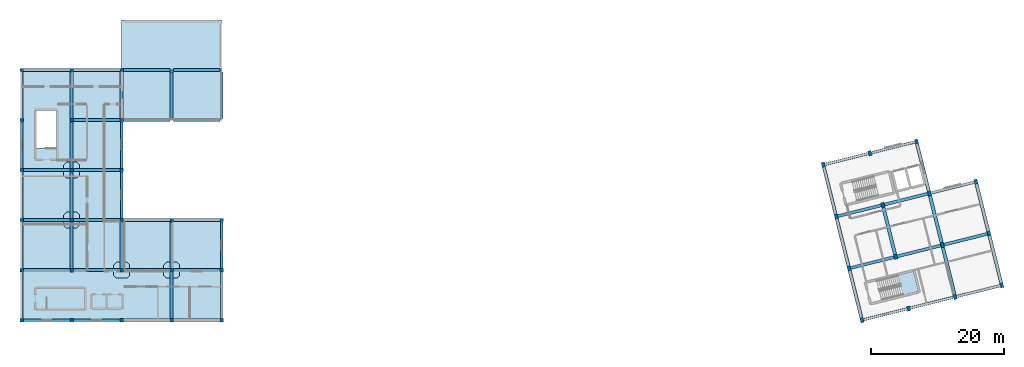
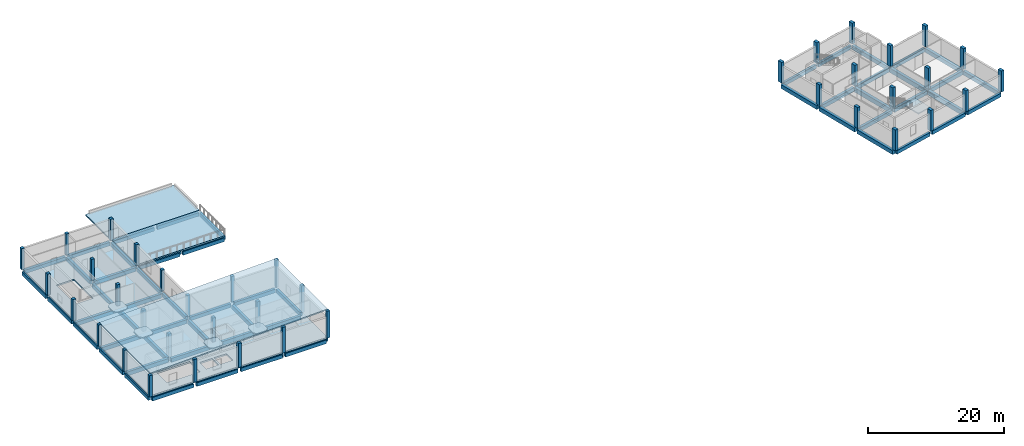
# One storey, part 1 of 8: 60 beams, 39 columns, 9 slabs, 1 element without a shape of its own.
"""IFC4 building model written with IfcOpenShell, lengths in metres."""

from ifc_helpers import new_model, si_unit, direction, frame, origin, origin_2d, place, context, subcontext, project, spatial, polyline, rectangle, outline, extrude, material, layer, layer_set, material_profile, profile_set, type_object, element, aggregate, save


model = new_model("IFC4")

# Units and contexts
model_context = context("Model", 3, precision=1e-05, world=origin(), true_north=direction((0.0, 1.0)))
body_context = subcontext(model_context, "Body", "Model", "MODEL_VIEW")
ifc_project = project(units=[si_unit("LENGTHUNIT", "METRE"), si_unit("AREAUNIT", "SQUARE_METRE"), si_unit("VOLUMEUNIT", "CUBIC_METRE"), si_unit("PLANEANGLEUNIT", "RADIAN"), si_unit("MASSUNIT", "GRAM", prefix="KILO")], contexts=[model_context])

# Site, building, storey
site_placement = place(None, origin())
site = spatial("IfcSite", under=ifc_project, at=site_placement, CompositionType="ELEMENT")
building_placement = place(site_placement, origin())
building = spatial("IfcBuilding", under=site, at=building_placement, Name="Mawjan Specialist Oncology Clinic", CompositionType="ELEMENT")
storey_placement = place(building_placement, frame((0.0, 0.0, 21.5)))
storey = spatial("IfcBuildingStorey", under=building, at=storey_placement, Name="L05", CompositionType="ELEMENT", Elevation=21.5)

# Columns
ifc_material_1 = material(Name="Concrete C45/55", Category="concrete")
ifc_material_profile_1 = material_profile(ifc_material_1, rectangle(XDim=0.5, YDim=0.5, at=origin_2d()), Name="RC COL 500x500", Category="concrete")
ifc_profile_set_1 = profile_set([ifc_material_profile_1], Name="Concrete C45/55")
column_type_1 = type_object("IfcColumnType", Name="C-500", PredefinedType="COLUMN", material=ifc_profile_set_1)
for number, where, z_axis, x_axis, name in (
    (1, (0.0, 0.800048828125, 0.0), (0.0, 0.0, 1.0), (1.0, 0.0, 0.0), "L05 Column G-1-A"),
    (2, (0.0, 8.300048828125, 0.0), (0.0, 0.0, 1.0), (1.0, 0.0, 0.0), "L05 Column G-1-B"),
):
    element("IfcColumn", number, at=place(storey_placement, frame(where, z_axis=z_axis, x_axis=x_axis)), inside=storey, type_object=column_type_1, Name=name, PredefinedType="COLUMN", context=body_context, shape_type="SweptSolid", body=[
        extrude(rectangle(XDim=0.5, YDim=0.5, at=origin_2d()), origin(), (0.0, 0.0, 1.0), 3.829833984375),
    ])
for number, where, z_axis, x_axis, name in (
    (3, (0.0, 15.800048828125, 0.0), (0.0, 0.0, 1.0), (1.0, 0.0, 0.0), "L05 Column G-1-C"),
    (4, (0.0, 23.300048828125, 0.0), (0.0, 0.0, 1.0), (1.0, 0.0, 0.0), "L05 Column G-1-D"),
    (5, (0.0, 30.800048828125, 0.0), (0.0, 0.0, 1.0), (1.0, 0.0, 0.0), "L05 Column G-1-E"),
    (6, (0.0, 38.300048828125, 0.0), (0.0, 0.0, 1.0), (1.0, 0.0, 0.0), "L05 Column G-1-F"),
):
    element("IfcColumn", number, at=place(storey_placement, frame(where, z_axis=z_axis, x_axis=x_axis)), inside=storey, type_object=column_type_1, Name=name, PredefinedType="COLUMN", context=body_context, shape_type="SweptSolid", body=[
        extrude(rectangle(XDim=0.5, YDim=0.5, at=origin_2d()), origin(), (0.0, 0.0, 1.0), 3.800048828125),
    ])
for number, where, z_axis, x_axis, name in (
    (7, (7.5, 0.800048828125, 0.0), (0.0, 0.0, 1.0), (1.0, 0.0, 0.0), "L05 Column G-2-A"),
    (8, (7.5, 8.300048828125, 0.0), (0.0, 0.0, 1.0), (1.0, 0.0, 0.0), "L05 Column G-2-B"),
):
    element("IfcColumn", number, at=place(storey_placement, frame(where, z_axis=z_axis, x_axis=x_axis)), inside=storey, type_object=column_type_1, Name=name, PredefinedType="COLUMN", context=body_context, shape_type="SweptSolid", body=[
        extrude(rectangle(XDim=0.5, YDim=0.5, at=origin_2d()), origin(), (0.0, 0.0, 1.0), 4.079833984375),
    ])
for number, where, z_axis, x_axis, name in (
    (9, (7.5, 15.800048828125, 0.0), (0.0, 0.0, 1.0), (1.0, 0.0, 0.0), "L05 Column G-2-C"),
    (10, (7.5, 23.300048828125, 0.0), (0.0, 0.0, 1.0), (1.0, 0.0, 0.0), "L05 Column G-2-D"),
    (11, (7.5, 30.800048828125, 0.0), (0.0, 0.0, 1.0), (1.0, 0.0, 0.0), "L05 Column G-2-E"),
    (12, (7.5, 38.300048828125, 0.0), (0.0, 0.0, 1.0), (1.0, 0.0, 0.0), "L05 Column G-2-F"),
):
    element("IfcColumn", number, at=place(storey_placement, frame(where, z_axis=z_axis, x_axis=x_axis)), inside=storey, type_object=column_type_1, Name=name, PredefinedType="COLUMN", context=body_context, shape_type="SweptSolid", body=[
        extrude(rectangle(XDim=0.5, YDim=0.5, at=origin_2d()), origin(), (0.0, 0.0, 1.0), 3.800048828125),
    ])
for number, where, z_axis, x_axis, name in (
    (13, (15.0, 0.800048828125, 0.0), (0.0, 0.0, 1.0), (1.0, 0.0, 0.0), "L05 Column G-3-A"),
    (14, (15.0, 8.300048828125, 0.0), (0.0, 0.0, 1.0), (1.0, 0.0, 0.0), "L05 Column G-3-B"),
):
    element("IfcColumn", number, at=place(storey_placement, frame(where, z_axis=z_axis, x_axis=x_axis)), inside=storey, type_object=column_type_1, Name=name, PredefinedType="COLUMN", context=body_context, shape_type="SweptSolid", body=[
        extrude(rectangle(XDim=0.5, YDim=0.5, at=origin_2d()), origin(), (0.0, 0.0, 1.0), 4.329833984375),
    ])
for number, where, z_axis, x_axis, name in (
    (15, (15.0, 15.800048828125, 0.0), (0.0, 0.0, 1.0), (1.0, 0.0, 0.0), "L05 Column G-3-C"),
    (16, (15.0, 23.300048828125, 0.0), (0.0, 0.0, 1.0), (1.0, 0.0, 0.0), "L05 Column G-3-D"),
    (17, (15.0, 30.800048828125, 0.0), (0.0, 0.0, 1.0), (1.0, 0.0, 0.0), "L05 Column G-3-E"),
    (18, (15.0, 38.300048828125, 0.0), (0.0, 0.0, 1.0), (1.0, 0.0, 0.0), "L05 Column G-3-F"),
):
    element("IfcColumn", number, at=place(storey_placement, frame(where, z_axis=z_axis, x_axis=x_axis)), inside=storey, type_object=column_type_1, Name=name, PredefinedType="COLUMN", context=body_context, shape_type="SweptSolid", body=[
        extrude(rectangle(XDim=0.5, YDim=0.5, at=origin_2d()), origin(), (0.0, 0.0, 1.0), 3.800048828125),
    ])
for number, where, z_axis, x_axis, name in (
    (19, (22.5, 0.800048828125, 0.0), (0.0, 0.0, 1.0), (1.0, 0.0, 0.0), "L05 Column G-4-A"),
    (20, (22.5, 8.300048828125, 0.0), (0.0, 0.0, 1.0), (1.0, 0.0, 0.0), "L05 Column G-4-B"),
    (21, (22.5, 15.800048828125, 0.0), (0.0, 0.0, 1.0), (1.0, 0.0, 0.0), "L05 Column G-4-C"),
):
    element("IfcColumn", number, at=place(storey_placement, frame(where, z_axis=z_axis, x_axis=x_axis)), inside=storey, type_object=column_type_1, Name=name, PredefinedType="COLUMN", context=body_context, shape_type="SweptSolid", body=[
        extrude(rectangle(XDim=0.5, YDim=0.5, at=origin_2d()), origin(), (0.0, 0.0, 1.0), 4.579833984375),
    ])
for number, where, z_axis, x_axis, name in (
    (22, (30.0, 0.800048828125, 0.0), (0.0, 0.0, 1.0), (1.0, 0.0, 0.0), "L05 Column G-5-A"),
    (23, (30.0, 8.300048828125, 0.0), (0.0, 0.0, 1.0), (1.0, 0.0, 0.0), "L05 Column G-5-B"),
    (24, (30.0, 15.800048828125, 0.0), (0.0, 0.0, 1.0), (1.0, 0.0, 0.0), "L05 Column G-5-C"),
):
    element("IfcColumn", number, at=place(storey_placement, frame(where, z_axis=z_axis, x_axis=x_axis)), inside=storey, type_object=column_type_1, Name=name, PredefinedType="COLUMN", context=body_context, shape_type="SweptSolid", body=[
        extrude(rectangle(XDim=0.5, YDim=0.5, at=origin_2d()), origin(), (0.0, 0.0, 1.0), 4.829833984375),
    ])
ifc_material_2 = material(Name="Concrete C45/55", Category="concrete")
ifc_material_profile_2 = material_profile(ifc_material_2, rectangle(XDim=0.5, YDim=0.75, at=origin_2d()), Name="RC COL 500x750", Category="concrete")
ifc_profile_set_2 = profile_set([ifc_material_profile_2], Name="Concrete C45/55")
column_type_2 = type_object("IfcColumnType", Name="C-500x750", PredefinedType="COLUMN", material=ifc_profile_set_2)
for number, where, z_axis, x_axis, name in (
    (25, (126.0, 0.800048828125, 0.0), (0.0, 0.0, 1.0), (0.970295726276, 0.2419218956, 0.0), "L05 Column R-RA-R1"),
    (26, (124.064697265625, 8.562255859375, 0.0), (0.0, 0.0, 1.0), (0.970295726276, 0.2419218956, 0.0), "L05 Column R-RA-R2"),
    (27, (122.129150390625, 16.32470703125, 0.0), (0.0, 0.0, 1.0), (0.970295726276, 0.2419218956, 0.0), "L05 Column R-RA-R3"),
    (28, (120.19384765625, 24.087158203125, 0.0), (0.0, 0.0, 1.0), (0.970295726276, 0.2419218956, 0.0), "L05 Column R-RA-R4"),
    (29, (132.986083984375, 2.541748046875, 0.0), (0.0, 0.0, 1.0), (0.970295726276, 0.2419218956, 0.0), "L05 Column R-RB-R1"),
    (30, (131.05078125, 10.30419921875, 0.0), (0.0, 0.0, 1.0), (0.970295726276, 0.2419218956, 0.0), "L05 Column R-RB-R2"),
    (31, (129.115478515625, 18.066650390625, 0.0), (0.0, 0.0, 1.0), (0.970295726276, 0.2419218956, 0.0), "L05 Column R-RB-R3"),
    (32, (127.179931640625, 25.828857421875, 0.0), (0.0, 0.0, 1.0), (0.970295726276, 0.2419218956, 0.0), "L05 Column R-RB-R4"),
    (33, (139.97216796875, 4.28369140625, 0.0), (0.0, 0.0, 1.0), (0.970295726276, 0.2419218956, 0.0), "L05 Column R-RC-R1"),
    (34, (138.036865234375, 12.046142578125, 0.0), (0.0, 0.0, 1.0), (0.970295726276, 0.2419218956, 0.0), "L05 Column R-RC-R2"),
    (35, (136.1015625, 19.808349609375, 0.0), (0.0, 0.0, 1.0), (0.970295726276, 0.2419218956, 0.0), "L05 Column R-RC-R3"),
    (36, (134.166015625, 27.57080078125, 0.0), (0.0, 0.0, 1.0), (0.970295726276, 0.2419218956, 0.0), "L05 Column R-RC-R4"),
):
    element("IfcColumn", number, at=place(storey_placement, frame(where, z_axis=z_axis, x_axis=x_axis)), inside=storey, type_object=column_type_2, Name=name, PredefinedType="COLUMN", context=body_context, shape_type="SweptSolid", body=[
        extrude(rectangle(XDim=0.5, YDim=0.75, at=origin_2d()), origin(), (0.0, 0.0, 1.0), 3.719970703125),
    ])
column_placement = place(storey_placement, frame((146.95849609375, 6.025634765625, 0.0), z_axis=(0.0, 0.0, 1.0), x_axis=(0.970295726276, 0.2419218956, 0.0)))
element("IfcColumn", 37, at=column_placement, inside=storey, type_object=column_type_2, Name="L05 Column R-RD-R1", PredefinedType="COLUMN", context=body_context, shape_type="SweptSolid", body=[
    extrude(rectangle(XDim=0.5, YDim=0.75, at=origin_2d()), origin(), (0.0, 0.0, 1.0), 3.75),
])
for number, where, z_axis, x_axis, name in (
    (38, (145.02294921875, 13.787841796875, 0.0), (0.0, 0.0, 1.0), (0.970295726276, 0.2419218956, 0.0), "L05 Column R-RD-R2"),
    (39, (143.087646484375, 21.55029296875, 0.0), (0.0, 0.0, 1.0), (0.970295726276, 0.2419218956, 0.0), "L05 Column R-RD-R3"),
):
    element("IfcColumn", number, at=place(storey_placement, frame(where, z_axis=z_axis, x_axis=x_axis)), inside=storey, type_object=column_type_2, Name=name, PredefinedType="COLUMN", context=body_context, shape_type="SweptSolid", body=[
        extrude(rectangle(XDim=0.5, YDim=0.75, at=origin_2d()), origin(), (0.0, 0.0, 1.0), 3.719970703125),
    ])

# Beams
ifc_material_3 = material(Name="Concrete C40/50", Category="concrete")
ifc_material_profile_3 = material_profile(ifc_material_3, rectangle(XDim=0.449951171875, YDim=0.699951171875, at=origin_2d()), Name="RC BM 450x700", Category="concrete")
ifc_profile_set_3 = profile_set([ifc_material_profile_3], Name="Concrete C40/50")
beam_type_1 = type_object("IfcBeamType", Name="BM-450x700", PredefinedType="BEAM", material=ifc_profile_set_3)
for number, where, z_axis, x_axis, name in (
    (40, (0.260009765625, 8.300048828125, -0.6298828125), (1.0, 0.0, 0.0), (0.0, 1.0, 0.0), "L05 Collector Beam BM-L05-1164"),
    (41, (7.760009765625, 8.300048828125, -0.830078125), (1.0, 0.0, 0.0), (0.0, 1.0, 0.0), "L05 Collector Beam BM-L05-1165"),
    (42, (15.260009765625, 8.300048828125, -0.830078125), (1.0, 0.0, 0.0), (0.0, 1.0, 0.0), "L05 Collector Beam BM-L05-1166"),
    (43, (22.760009765625, 8.300048828125, -0.830078125), (1.0, 0.0, 0.0), (0.0, 1.0, 0.0), "L05 Collector Beam BM-L05-1167"),
    (44, (0.260009765625, 15.800048828125, -0.830078125), (1.0, 0.0, 0.0), (0.0, 1.0, 0.0), "L05 Collector Beam BM-L05-1168"),
    (45, (7.760009765625, 15.800048828125, -0.830078125), (1.0, 0.0, 0.0), (0.0, 1.0, 0.0), "L05 Collector Beam BM-L05-1169"),
    (46, (0.260009765625, 23.300048828125, -0.830078125), (1.0, 0.0, 0.0), (0.0, 1.0, 0.0), "L05 Collector Beam BM-L05-1172"),
    (47, (7.760009765625, 23.300048828125, -0.830078125), (1.0, 0.0, 0.0), (0.0, 1.0, 0.0), "L05 Collector Beam BM-L05-1173"),
    (48, (7.760009765625, 30.800048828125, -0.6298828125), (1.0, 0.0, 0.0), (0.0, 1.0, 0.0), "L05 Collector Beam BM-L05-1174"),
    (49, (7.5, 8.56005859375, -0.830078125), (0.0, 1.0, 0.0), (-1.0, 0.0, 0.0), "L05 Collector Beam BM-L05-1186"),
    (50, (7.5, 16.06005859375, -0.830078125), (0.0, 1.0, 0.0), (-1.0, 0.0, 0.0), "L05 Collector Beam BM-L05-1187"),
    (51, (7.5, 23.56005859375, -0.830078125), (0.0, 1.0, 0.0), (-1.0, 0.0, 0.0), "L05 Collector Beam BM-L05-1188"),
    (52, (7.5, 31.06005859375, -0.6298828125), (0.0, 1.0, 0.0), (-1.0, 0.0, 0.0), "L05 Collector Beam BM-L05-1189"),
    (53, (15.0, 8.56005859375, -0.830078125), (0.0, 1.0, 0.0), (-1.0, 0.0, 0.0), "L05 Collector Beam BM-L05-1190"),
    (54, (15.0, 31.06005859375, -0.6298828125), (0.0, 1.0, 0.0), (-1.0, 0.0, 0.0), "L05 Collector Beam BM-L05-1193"),
    (55, (22.5, 1.06005859375, -0.830078125), (0.0, 1.0, 0.0), (-1.0, 0.0, 0.0), "L05 Collector Beam BM-L05-1194"),
    (56, (22.5, 8.56005859375, -0.830078125), (0.0, 1.0, 0.0), (-1.0, 0.0, 0.0), "L05 Collector Beam BM-L05-1195"),
    (57, (22.5, 31.06005859375, -0.60009765625), (0.0, 1.0, 0.0), (-1.0, 0.0, 0.0), "L05 Collector Beam BM-L05-1196"),
):
    element("IfcBeam", number, at=place(storey_placement, frame(where, z_axis=z_axis, x_axis=x_axis)), inside=storey, type_object=beam_type_1, Name=name, PredefinedType="BEAM", context=body_context, shape_type="SweptSolid", body=[
        extrude(rectangle(XDim=0.449951171875, YDim=0.699951171875, at=origin_2d()), origin(), (0.0, 0.0, 1.0), 6.97998046875),
    ])
for number, where, z_axis, x_axis, name in (
    (58, (124.292724609375, 8.619140625, -0.6298828125), (0.970293819569, 0.241929542854, 0.0), (-0.241929542854, 0.970293819569, 0.0), "L05 Collector Beam BM-L05-1203"),
    (59, (131.27880859375, 10.361083984375, -0.6298828125), (0.970293819569, 0.241929542854, 0.0), (-0.241929542854, 0.970293819569, 0.0), "L05 Collector Beam BM-L05-1204"),
    (60, (138.264892578125, 12.102783203125, -0.6298828125), (0.970293819569, 0.241929542854, 0.0), (-0.241929542854, 0.970293819569, 0.0), "L05 Collector Beam BM-L05-1205"),
):
    element("IfcBeam", number, at=place(storey_placement, frame(where, z_axis=z_axis, x_axis=x_axis)), inside=storey, type_object=beam_type_1, Name=name, PredefinedType="BEAM", context=body_context, shape_type="SweptSolid", body=[
        extrude(rectangle(XDim=0.449951171875, YDim=0.699951171875, at=origin_2d()), origin(), (0.0, 0.0, 1.0), 6.72998046875),
    ])
beam_1_placement = place(storey_placement, frame((122.357177734375, 16.381591796875, -0.6298828125), z_axis=(0.970295942731, 0.241921027444, 0.0), x_axis=(-0.241921027444, 0.970295942731, 0.0)))
element("IfcBeam", 61, at=beam_1_placement, inside=storey, type_object=beam_type_1, Name="L05 Collector Beam BM-L05-1206", PredefinedType="BEAM", context=body_context, shape_type="SweptSolid", body=[
    extrude(rectangle(XDim=0.449951171875, YDim=0.699951171875, at=origin_2d()), origin(), (0.0, 0.0, 1.0), 6.730224609375),
])
beam_2_placement = place(storey_placement, frame((129.343505859375, 18.12353515625, -0.6298828125), z_axis=(0.970302334743, 0.241895388943, 0.0), x_axis=(-0.241895388943, 0.970302334743, 0.0)))
element("IfcBeam", 62, at=beam_2_placement, inside=storey, type_object=beam_type_1, Name="L05 Collector Beam BM-L05-1207", PredefinedType="BEAM", context=body_context, shape_type="SweptSolid", body=[
    extrude(rectangle(XDim=0.449951171875, YDim=0.699951171875, at=origin_2d()), origin(), (0.0, 0.0, 1.0), 6.72998046875),
])
ifc_material_4 = material(Name="Concrete C45/55", Category="concrete")
ifc_material_profile_4 = material_profile(ifc_material_4, rectangle(XDim=0.5, YDim=0.800048828125, at=origin_2d()), Name="RC BM 500x800", Category="concrete")
ifc_profile_set_4 = profile_set([ifc_material_profile_4], Name="Concrete C45/55")
beam_type_2 = type_object("IfcBeamType", Name="BM-500x800", PredefinedType="BEAM", material=ifc_profile_set_4)
for number, where, z_axis, x_axis, name in (
    (63, (130.993896484375, 10.5322265625, -0.679931640625), (-0.241932910606, 0.97029297986, 0.0), (-0.97029297986, -0.241932910606, 0.0), "L05 Collector Beam BM-L05-1214"),
    (64, (139.91552734375, 4.51171875, -0.679931640625), (-0.241932910606, 0.97029297986, 0.0), (-0.97029297986, -0.241932910606, 0.0), "L05 Collector Beam BM-L05-1215"),
):
    element("IfcBeam", number, at=place(storey_placement, frame(where, z_axis=z_axis, x_axis=x_axis)), inside=storey, type_object=beam_type_2, Name=name, PredefinedType="BEAM", context=body_context, shape_type="SweptSolid", body=[
        extrude(rectangle(XDim=0.5, YDim=0.800048828125, at=origin_2d()), origin(), (0.0, 0.0, 1.0), 7.530029296875),
    ])
beam_3_placement = place(storey_placement, frame((137.97998046875, 12.274169921875, -0.679931640625), z_axis=(-0.241909996281, 0.970298693032, 0.0), x_axis=(-0.970298693032, -0.241909996281, 0.0)))
element("IfcBeam", 65, at=beam_3_placement, inside=storey, type_object=beam_type_2, Name="L05 Collector Beam BM-L05-1216", PredefinedType="BEAM", context=body_context, shape_type="SweptSolid", body=[
    extrude(rectangle(XDim=0.5, YDim=0.800048828125, at=origin_2d()), origin(), (0.0, 0.0, 1.0), 7.52978515625),
])
ifc_material_5 = material(Name="Concrete C45/55", Category="concrete")
ifc_material_profile_5 = material_profile(ifc_material_5, rectangle(XDim=0.39990234375, YDim=0.64990234375, at=origin_2d()), Name="RC BM 400x650", Category="concrete")
ifc_profile_set_5 = profile_set([ifc_material_profile_5], Name="Concrete C45/55")
beam_type_3 = type_object("IfcBeamType", Name="SP-400x650", PredefinedType="SPANDREL", material=ifc_profile_set_5)
for number, where, z_axis, x_axis, name in (
    (66, (0.260009765625, 0.800048828125, -0.60498046875), (1.0, 0.0, 0.0), (0.0, 1.0, 0.0), "L05 Spandrel Beam BM-L05-1160"),
    (67, (7.760009765625, 0.800048828125, -0.60498046875), (1.0, 0.0, 0.0), (0.0, 1.0, 0.0), "L05 Spandrel Beam BM-L05-1161"),
    (68, (15.260009765625, 0.800048828125, -0.60498046875), (1.0, 0.0, 0.0), (0.0, 1.0, 0.0), "L05 Spandrel Beam BM-L05-1162"),
    (69, (22.760009765625, 0.800048828125, -0.60498046875), (1.0, 0.0, 0.0), (0.0, 1.0, 0.0), "L05 Spandrel Beam BM-L05-1163"),
    (70, (15.260009765625, 15.800048828125, -0.60498046875), (1.0, 0.0, 0.0), (0.0, 1.0, 0.0), "L05 Spandrel Beam BM-L05-1170"),
    (71, (22.760009765625, 15.800048828125, -0.60498046875), (1.0, 0.0, 0.0), (0.0, 1.0, 0.0), "L05 Spandrel Beam BM-L05-1171"),
    (72, (15.260009765625, 30.800048828125, -0.60498046875), (1.0, 0.0, 0.0), (0.0, 1.0, 0.0), "L05 Spandrel Beam BM-L05-1175"),
    (73, (22.760009765625, 30.800048828125, -0.574951171875), (1.0, 0.0, 0.0), (0.0, 1.0, 0.0), "L05 Spandrel Beam BM-L05-1176"),
    (74, (0.260009765625, 38.300048828125, -0.60498046875), (1.0, 0.0, 0.0), (0.0, 1.0, 0.0), "L05 Spandrel Beam BM-L05-1177"),
    (75, (7.760009765625, 38.300048828125, -0.60498046875), (1.0, 0.0, 0.0), (0.0, 1.0, 0.0), "L05 Spandrel Beam BM-L05-1178"),
    (76, (15.260009765625, 38.300048828125, -0.60498046875), (1.0, 0.0, 0.0), (0.0, 1.0, 0.0), "L05 Spandrel Beam BM-L05-1179"),
    (77, (22.760009765625, 38.300048828125, -0.574951171875), (1.0, 0.0, 0.0), (0.0, 1.0, 0.0), "L05 Spandrel Beam BM-L05-1180"),
    (78, (0.0, 1.06005859375, -0.60498046875), (0.0, 1.0, 0.0), (-1.0, 0.0, 0.0), "L05 Spandrel Beam BM-L05-1181"),
    (79, (0.0, 8.56005859375, -0.60498046875), (0.0, 1.0, 0.0), (-1.0, 0.0, 0.0), "L05 Spandrel Beam BM-L05-1182"),
    (80, (0.0, 16.06005859375, -0.60498046875), (0.0, 1.0, 0.0), (-1.0, 0.0, 0.0), "L05 Spandrel Beam BM-L05-1183"),
    (81, (0.0, 23.56005859375, -0.60498046875), (0.0, 1.0, 0.0), (-1.0, 0.0, 0.0), "L05 Spandrel Beam BM-L05-1184"),
    (82, (0.0, 31.06005859375, -0.60498046875), (0.0, 1.0, 0.0), (-1.0, 0.0, 0.0), "L05 Spandrel Beam BM-L05-1185"),
    (83, (15.0, 16.06005859375, -0.60498046875), (0.0, 1.0, 0.0), (-1.0, 0.0, 0.0), "L05 Spandrel Beam BM-L05-1191"),
    (84, (15.0, 23.56005859375, -0.60498046875), (0.0, 1.0, 0.0), (-1.0, 0.0, 0.0), "L05 Spandrel Beam BM-L05-1192"),
    (85, (30.0, 1.06005859375, -0.60498046875), (0.0, 1.0, 0.0), (-1.0, 0.0, 0.0), "L05 Spandrel Beam BM-L05-1197"),
    (86, (30.0, 8.56005859375, -0.60498046875), (0.0, 1.0, 0.0), (-1.0, 0.0, 0.0), "L05 Spandrel Beam BM-L05-1198"),
    (87, (30.0, 31.06005859375, -0.574951171875), (0.0, 1.0, 0.0), (-1.0, 0.0, 0.0), "L05 Spandrel Beam BM-L05-1199"),
):
    element("IfcBeam", number, at=place(storey_placement, frame(where, z_axis=z_axis, x_axis=x_axis)), inside=storey, type_object=beam_type_3, Name=name, PredefinedType="SPANDREL", context=body_context, shape_type="SweptSolid", body=[
        extrude(rectangle(XDim=0.39990234375, YDim=0.64990234375, at=origin_2d()), origin(), (0.0, 0.0, 1.0), 6.97998046875),
    ])
for number, where, z_axis, x_axis, name in (
    (88, (126.22802734375, 0.85693359375, -0.60498046875), (0.970293819569, 0.241929542854, 0.0), (-0.241929542854, 0.970293819569, 0.0), "L05 Spandrel Beam BM-L05-1200"),
    (89, (133.214111328125, 2.5986328125, -0.60498046875), (0.970293819569, 0.241929542854, 0.0), (-0.241929542854, 0.970293819569, 0.0), "L05 Spandrel Beam BM-L05-1201"),
):
    element("IfcBeam", number, at=place(storey_placement, frame(where, z_axis=z_axis, x_axis=x_axis)), inside=storey, type_object=beam_type_3, Name=name, PredefinedType="SPANDREL", context=body_context, shape_type="SweptSolid", body=[
        extrude(rectangle(XDim=0.39990234375, YDim=0.64990234375, at=origin_2d()), origin(), (0.0, 0.0, 1.0), 6.72998046875),
    ])
beam_4_placement = place(storey_placement, frame((140.2001953125, 4.340576171875, -0.60498046875), z_axis=(0.970295942731, 0.241921027444, 0.0), x_axis=(-0.241921027444, 0.970295942731, 0.0)))
element("IfcBeam", 90, at=beam_4_placement, inside=storey, type_object=beam_type_3, Name="L05 Spandrel Beam BM-L05-1202", PredefinedType="SPANDREL", context=body_context, shape_type="SweptSolid", body=[
    extrude(rectangle(XDim=0.39990234375, YDim=0.64990234375, at=origin_2d()), origin(), (0.0, 0.0, 1.0), 6.730224609375),
])
for number, where, z_axis, x_axis, name in (
    (91, (136.32958984375, 19.865234375, -0.60498046875), (0.970293819569, 0.241929542854, 0.0), (-0.241929542854, 0.970293819569, 0.0), "L05 Spandrel Beam BM-L05-1208"),
    (92, (120.421875, 24.14404296875, -0.60498046875), (0.970302334743, 0.241895388943, 0.0), (-0.241895388943, 0.970302334743, 0.0), "L05 Spandrel Beam BM-L05-1209"),
):
    element("IfcBeam", number, at=place(storey_placement, frame(where, z_axis=z_axis, x_axis=x_axis)), inside=storey, type_object=beam_type_3, Name=name, PredefinedType="SPANDREL", context=body_context, shape_type="SweptSolid", body=[
        extrude(rectangle(XDim=0.39990234375, YDim=0.64990234375, at=origin_2d()), origin(), (0.0, 0.0, 1.0), 6.72998046875),
    ])
beam_5_placement = place(storey_placement, frame((127.407958984375, 25.8857421875, -0.60498046875), z_axis=(0.970295942731, 0.241921027444, 0.0), x_axis=(-0.241921027444, 0.970295942731, 0.0)))
element("IfcBeam", 93, at=beam_5_placement, inside=storey, type_object=beam_type_3, Name="L05 Spandrel Beam BM-L05-1210", PredefinedType="SPANDREL", context=body_context, shape_type="SweptSolid", body=[
    extrude(rectangle(XDim=0.39990234375, YDim=0.64990234375, at=origin_2d()), origin(), (0.0, 0.0, 1.0), 6.730224609375),
])
ifc_material_6 = material(Name="Concrete C45/55", Category="concrete")
ifc_material_profile_6 = material_profile(ifc_material_6, rectangle(XDim=0.5, YDim=0.699951171875, at=origin_2d()), Name="RC BM 500x700", Category="concrete")
ifc_profile_set_6 = profile_set([ifc_material_profile_6], Name="Concrete C45/55")
beam_type_4 = type_object("IfcBeamType", Name="SP-500x700", PredefinedType="SPANDREL", material=ifc_profile_set_6)
beam_6_placement = place(storey_placement, frame((125.943115234375, 1.028076171875, -0.6298828125), z_axis=(-0.241909996281, 0.970298693032, 0.0), x_axis=(-0.970298693032, -0.241909996281, 0.0)))
element("IfcBeam", 94, at=beam_6_placement, inside=storey, type_object=beam_type_4, Name="L05 Spandrel Beam BM-L05-1211", PredefinedType="SPANDREL", context=body_context, shape_type="SweptSolid", body=[
    extrude(rectangle(XDim=0.5, YDim=0.699951171875, at=origin_2d()), origin(), (0.0, 0.0, 1.0), 7.52978515625),
])
for number, where, z_axis, x_axis, name in (
    (95, (124.0078125, 8.790283203125, -0.6298828125), (-0.241932910606, 0.97029297986, 0.0), (-0.97029297986, -0.241932910606, 0.0), "L05 Spandrel Beam BM-L05-1212"),
    (96, (122.072509765625, 16.552734375, -0.6298828125), (-0.241932910606, 0.97029297986, 0.0), (-0.97029297986, -0.241932910606, 0.0), "L05 Spandrel Beam BM-L05-1213"),
    (97, (136.044677734375, 20.036376953125, -0.6298828125), (-0.241932910606, 0.97029297986, 0.0), (-0.97029297986, -0.241932910606, 0.0), "L05 Spandrel Beam BM-L05-1217"),
    (98, (146.901611328125, 6.25341796875, -0.6298828125), (-0.241932910606, 0.97029297986, 0.0), (-0.97029297986, -0.241932910606, 0.0), "L05 Spandrel Beam BM-L05-1218"),
    (99, (144.966064453125, 14.015869140625, -0.6298828125), (-0.241902385963, 0.970300590366, 0.0), (-0.970300590366, -0.241902385963, 0.0), "L05 Spandrel Beam BM-L05-1219"),
):
    element("IfcBeam", number, at=place(storey_placement, frame(where, z_axis=z_axis, x_axis=x_axis)), inside=storey, type_object=beam_type_4, Name=name, PredefinedType="SPANDREL", context=body_context, shape_type="SweptSolid", body=[
        extrude(rectangle(XDim=0.5, YDim=0.699951171875, at=origin_2d()), origin(), (0.0, 0.0, 1.0), 7.530029296875),
    ])

# Slabs
ifc_material_7 = material(Name="Concrete C35/45", Category="concrete")
ifc_layer_1 = layer(ifc_material_7, 0.199951171875, Name="Concrete C35/45", Category="concrete")
ifc_layer_set_1 = layer_set([ifc_layer_1], Name="Concrete C35/45")
slab_type_1 = type_object("IfcSlabType", Name="DP-200", PredefinedType="FLOOR", material=ifc_layer_set_1)
slab_1_placement = place(storey_placement, frame((0.0, 0.0, -0.47998046875)))
element("IfcSlab", 100, at=slab_1_placement, inside=storey, type_object=slab_type_1, Name="L05 Octagonal Column Drop Panel DP-L05-005", PredefinedType="FLOOR", context=body_context, shape_type="SweptSolid", body=[
    extrude(outline(polyline([(6.719970703125, 14.60009765625), (8.280029296875, 14.60009765625), (8.699951171875, 15.02001953125), (8.699951171875, 16.580078125), (8.280029296875, 17.0), (6.719970703125, 17.0), (6.300048828125, 16.580078125), (6.300048828125, 15.02001953125), (6.719970703125, 14.60009765625)])), origin(), (0.0, 0.0, 1.0), 0.199951171875),
])
slab_2_placement = place(storey_placement, frame((0.0, 0.0, -0.47998046875)))
element("IfcSlab", 101, at=slab_2_placement, inside=storey, type_object=slab_type_1, Name="L05 Octagonal Column Drop Panel DP-L05-010", PredefinedType="FLOOR", context=body_context, shape_type="SweptSolid", body=[
    extrude(outline(polyline([(6.719970703125, 22.10009765625), (8.280029296875, 22.10009765625), (8.699951171875, 22.52001953125), (8.699951171875, 24.080078125), (8.280029296875, 24.5), (6.719970703125, 24.5), (6.300048828125, 24.080078125), (6.300048828125, 22.52001953125), (6.719970703125, 22.10009765625)])), origin(), (0.0, 0.0, 1.0), 0.199951171875),
])
slab_3_placement = place(storey_placement, frame((0.0, 0.0, -0.47998046875)))
element("IfcSlab", 102, at=slab_3_placement, inside=storey, type_object=slab_type_1, Name="L05 Octagonal Column Drop Panel DP-L05-028", PredefinedType="FLOOR", context=body_context, shape_type="SweptSolid", body=[
    extrude(outline(polyline([(14.219970703125, 7.10009765625), (15.780029296875, 7.10009765625), (16.199951171875, 7.52001953125), (16.199951171875, 9.080078125), (15.780029296875, 9.5), (14.219970703125, 9.5), (13.800048828125, 9.080078125), (13.800048828125, 7.52001953125), (14.219970703125, 7.10009765625)])), origin(), (0.0, 0.0, 1.0), 0.199951171875),
])
slab_4_placement = place(storey_placement, frame((0.0, 0.0, -0.47998046875)))
element("IfcSlab", 103, at=slab_4_placement, inside=storey, type_object=slab_type_1, Name="L05 Octagonal Column Drop Panel DP-L05-041", PredefinedType="FLOOR", context=body_context, shape_type="SweptSolid", body=[
    extrude(outline(polyline([(21.719970703125, 7.10009765625), (23.280029296875, 7.10009765625), (23.699951171875, 7.52001953125), (23.699951171875, 9.080078125), (23.280029296875, 9.5), (21.719970703125, 9.5), (21.300048828125, 9.080078125), (21.300048828125, 7.52001953125), (21.719970703125, 7.10009765625)])), origin(), (0.0, 0.0, 1.0), 0.199951171875),
])
ifc_material_8 = material(Name="Concrete C35/45", Category="concrete")
ifc_layer_2 = layer(ifc_material_8, 0.280029296875, Name="Concrete C35/45", Category="concrete")
ifc_layer_set_2 = layer_set([ifc_layer_2], Name="Concrete C35/45")
slab_type_2 = type_object("IfcSlabType", Name="FS-280", PredefinedType="FLOOR", material=ifc_layer_set_2)
slab_5_placement = place(storey_placement, frame((0.0, 0.0, -0.280029296875)))
element("IfcSlab", 104, at=slab_5_placement, inside=storey, type_object=slab_type_2, Name="L05 Outpatient Consulting Courts Wing Slab SLB-V4-L05", PredefinedType="FLOOR", context=body_context, shape_type="SweptSolid", body=[
    extrude(outline(polyline([(0.0, 0.800048828125), (30.0, 0.800048828125), (30.0, 15.800048828125), (15.0, 15.800048828125), (15.0, 38.300048828125), (0.0, 38.300048828125), (0.0, 0.800048828125)]), holes=[polyline([(3.800048828125, 2.5), (9.39990234375, 2.5), (9.39990234375, 5.5), (3.800048828125, 5.5), (3.800048828125, 2.5)]), polyline([(10.550048828125, 2.64990234375), (12.64990234375, 2.64990234375), (12.64990234375, 4.550048828125), (10.550048828125, 4.550048828125), (10.550048828125, 2.64990234375)]), polyline([(12.949951171875, 2.64990234375), (15.050048828125, 2.64990234375), (15.050048828125, 4.550048828125), (12.949951171875, 4.550048828125), (12.949951171875, 2.64990234375)]), polyline([(5.199951171875, 26.60009765625), (5.199951171875, 32.199951171875), (2.199951171875, 32.199951171875), (2.199951171875, 26.60009765625), (5.199951171875, 26.60009765625)])]), origin(), (0.0, 0.0, 1.0), 0.280029296875),
])

# Stair, slab
ifc_material_9 = material(Name="Concrete C35/45", Category="concrete")
stair_type = type_object("IfcStairType", Name="STR-CORE40", PredefinedType="HALF_TURN_STAIR", material=ifc_material_9)
stair_placement = place(storey_placement, origin())
stair = element("IfcStair", 105, at=stair_placement, inside=storey, type_object=stair_type, Name="L05 Exit Stair ST-06", PredefinedType="HALF_TURN_STAIR")
ifc_material_10 = material(Name="Concrete C35/45", Category="concrete")
ifc_layer_3 = layer(ifc_material_10, 0.199951171875, Name="Concrete C35/45", Category="concrete")
ifc_layer_set_3 = layer_set([ifc_layer_3], Name="Concrete C35/45")
slab_type_3 = type_object("IfcSlabType", Name="LND-200", PredefinedType="LANDING", material=ifc_layer_set_3)
slab_6_placement = place(storey_placement, frame((0.0, 0.0, 1.800048828125)))
slab_6 = element("IfcSlab", 106, at=slab_6_placement, type_object=slab_type_3, Name="ST-06 landing 1", PredefinedType="LANDING", context=body_context, shape_type="SweptSolid", body=[
    extrude(outline(polyline([(132.138916015625, 4.548828125), (134.44140625, 5.123046875), (133.692626953125, 8.126220703125), (131.39013671875, 7.55224609375), (132.138916015625, 4.548828125)])), origin(), (0.0, 0.0, 1.0), 0.199951171875),
])
aggregate(stair, [slab_6])

# Slabs
ifc_material_11 = material(Name="Concrete C35/45", Category="concrete")
ifc_layer_4 = layer(ifc_material_11, 0.199951171875, Name="Concrete C35/45", Category="concrete")
ifc_layer_set_4 = layer_set([ifc_layer_4], Name="Concrete C35/45")
slab_type_4 = type_object("IfcSlabType", Name="RF-OVR200", PredefinedType="ROOF", material=ifc_layer_set_4)
slab_7_placement = place(storey_placement, frame((0.0, 0.0, -0.280029296875)))
element("IfcSlab", 107, at=slab_7_placement, inside=storey, type_object=slab_type_4, Name="Outpatient L04 North-East Step-Back Roof Deck", PredefinedType="ROOF", context=body_context, shape_type="SweptSolid", body=[
    extrude(outline(polyline([(15.0, 38.320068359375), (30.0, 38.320068359375), (30.0, 45.800048828125), (15.0, 45.800048828125), (15.0, 38.320068359375)])), origin(), (0.0, 0.0, 1.0), 0.199951171875),
])
ifc_material_12 = material(Name="Concrete C35/45", Category="concrete")
ifc_layer_5 = layer(ifc_material_12, 0.219970703125, Name="Concrete C35/45", Category="concrete")
ifc_layer_set_5 = layer_set([ifc_layer_5], Name="Concrete C35/45")
slab_type_5 = type_object("IfcSlabType", Name="RF-SLP220", PredefinedType="ROOF", material=ifc_layer_set_5)
slab_8_placement = place(storey_placement, frame((0.0, 0.800048828125, 4.050048828125), z_axis=(-0.033314830233, 0.0, 0.999444906979), x_axis=(0.999444906979, 0.0, 0.033314830233)))
element("IfcSlab", 108, at=slab_8_placement, inside=storey, type_object=slab_type_5, Name="Outpatient Wing L05 Sloped Roof South", PredefinedType="ROOF", context=body_context, shape_type="SweptSolid", body=[
    extrude(outline(polyline([(0.0, 0.0), (30.01666203960727, 0.0), (30.01666203960727, 14.97998046875), (0.0, 14.97998046875), (0.0, 0.0)])), origin(), (0.0, 0.0, -1.0), 0.219970703125),
])
ifc_material_13 = material(Name="Concrete C35/45", Category="concrete")
ifc_layer_6 = layer(ifc_material_13, 0.25, Name="Concrete C35/45", Category="concrete")
ifc_layer_set_6 = layer_set([ifc_layer_6], Name="Concrete C35/45")
slab_type_6 = type_object("IfcSlabType", Name="RT-250", PredefinedType="ROOF", material=ifc_layer_set_6)
slab_9_placement = place(storey_placement, frame((0.0, 0.0, -0.25)))
element("IfcSlab", 109, at=slab_9_placement, inside=storey, type_object=slab_type_6, Name="L05 Accessible Healing Terrace TER-V4-L05", PredefinedType="ROOF", context=body_context, shape_type="SweptSolid", body=[
    extrude(outline(polyline([(15.0, 30.800048828125), (30.0, 30.800048828125), (30.0, 38.300048828125), (15.0, 38.300048828125), (15.0, 30.800048828125)])), origin(), (0.0, 0.0, 1.0), 0.25),
])

save(model, "model.ifc")
